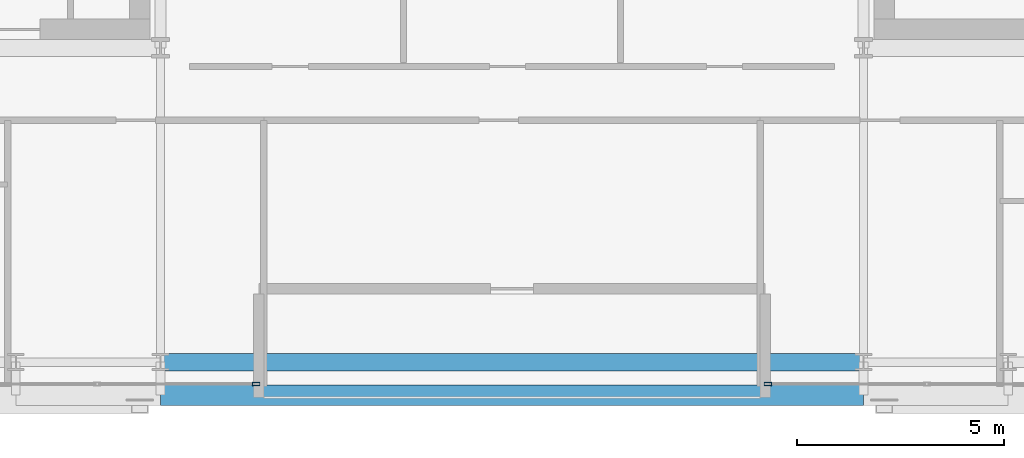
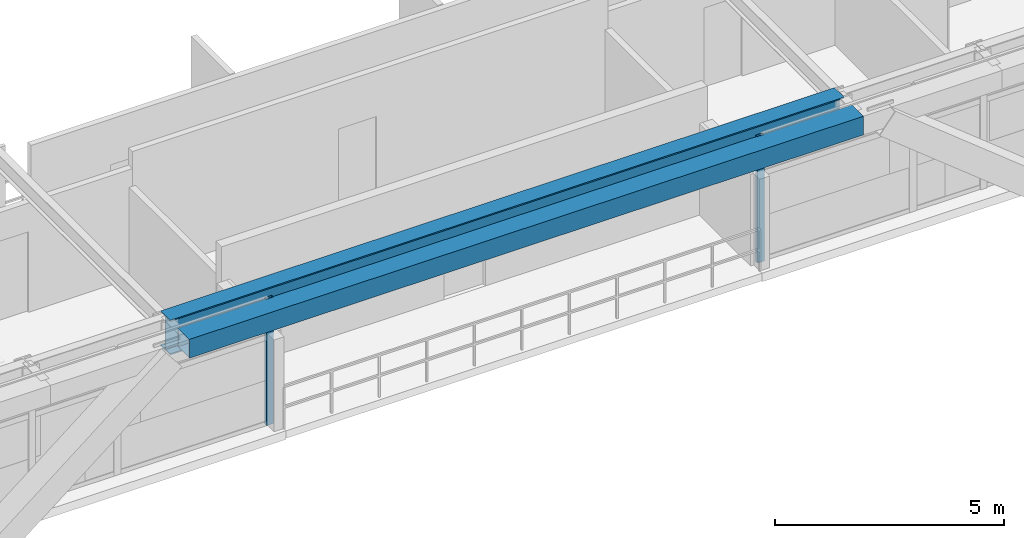
# One storey, part 7 of 37: 2 beams, 2 members, 2 elements without a shape of their own.
"""IFC4 building model written with IfcOpenShell, lengths in metres."""

from ifc_helpers import new_model, si_unit, direction, frame, origin, origin_2d, place, context, subcontext, project, spatial, hollow_rectangle, i_section, extrude, source, transform, mapped, material, layer, layer_set, material_profile, profile_set, type_object, element, aggregate, save


model = new_model("IFC4")

# Units and contexts
model_context = context("Model", 3, precision=1e-05, world=origin(), true_north=direction((0.0, 1.0)))
body_context = subcontext(model_context, "Body", "Model", "MODEL_VIEW")
ifc_project = project(units=[si_unit("LENGTHUNIT", "METRE"), si_unit("AREAUNIT", "SQUARE_METRE"), si_unit("VOLUMEUNIT", "CUBIC_METRE"), si_unit("PLANEANGLEUNIT", "RADIAN"), si_unit("MASSUNIT", "GRAM", prefix="KILO")], contexts=[model_context])

# Site, building, storey
site_placement = place(None, origin())
site = spatial("IfcSite", under=ifc_project, at=site_placement, CompositionType="ELEMENT")
building_placement = place(site_placement, origin())
building = spatial("IfcBuilding", under=site, at=building_placement, Name="Ocotamira Hotel", CompositionType="ELEMENT")
storey_placement = place(building_placement, frame((0.0, 0.0, 192.0)))
storey = spatial("IfcBuildingStorey", under=building, at=storey_placement, Name="L48", CompositionType="ELEMENT", Elevation=192.0)

# Beams
ifc_material_1 = material(Name="Steel ASTM A992 Grade 50", Category="steel")
ifc_material_profile_1 = material_profile(ifc_material_1, i_section(OverallWidth=0.41796875, OverallDepth=0.927001953125, WebThickness=0.019287109375, FlangeThickness=0.031982421875, FilletRadius=0.02392578125, at=origin_2d()), Name="W36X231")
ifc_profile_set_1 = profile_set([ifc_material_profile_1], Name="Steel ASTM A992 Grade 50")
beam_type_1 = type_object("IfcBeamType", Name="BM-GIRD-W36X231", PredefinedType="BEAM", material=ifc_profile_set_1)
shared_shape_1 = source(origin(), body_context, "Body", "SweptSolid", [
    extrude(i_section(OverallWidth=0.41796875, OverallDepth=0.927001953125, WebThickness=0.019287109375, FlangeThickness=0.031982421875, FilletRadius=0.02392578125, at=origin_2d()), origin(), (0.0, 0.0, 1.0), 17.0),
])
beam_1_placement = place(storey_placement, frame((23.5, 6.949951171875, 2.906494140625), z_axis=(1.0, 0.0, 0.0), x_axis=(0.0, 1.0, 0.0)))
element("IfcBeam", 1, at=beam_1_placement, inside=storey, type_object=beam_type_1, Name="L48 Girder Y6.95 X23.5-40.5", PredefinedType="BEAM", context=body_context, shape_type="MappedRepresentation", body=[
    mapped(shared_shape_1, transform((0.0, 0.0, 0.0), scale=1.0)),
])
ifc_material_2 = material(Name="Steel ASTM A500 Grade C", Category="steel")
ifc_material_profile_2 = material_profile(ifc_material_2, hollow_rectangle(XDim=0.5, YDim=0.5, WallThickness=0.02001953125, at=origin_2d()), Name="HSS500X500X20")
ifc_profile_set_2 = profile_set([ifc_material_profile_2], Name="Steel ASTM A500 Grade C")
beam_type_2 = type_object("IfcBeamType", Name="BM-SPAN-HSS500", PredefinedType="USERDEFINED", material=ifc_profile_set_2)
shared_shape_2 = source(origin(), body_context, "Body", "SweptSolid", [
    extrude(hollow_rectangle(XDim=0.5, YDim=0.5, WallThickness=0.02001953125, at=origin_2d()), origin(), (0.0, 0.0, 1.0), 17.0),
])
beam_2_placement = place(storey_placement, frame((23.5, 6.14990234375, 3.1201171875), z_axis=(1.0, 0.0, 0.0), x_axis=(0.0, 1.0, 0.0)))
element("IfcBeam", 2, at=beam_2_placement, inside=storey, type_object=beam_type_2, Name="L48 Edge Spandrel S X23.5-40.5", ObjectType="SPANDREL", PredefinedType="USERDEFINED", context=body_context, shape_type="MappedRepresentation", body=[
    mapped(shared_shape_2, transform((0.0, 0.0, 0.0), scale=1.0)),
])

# Curtain wall, member
ifc_material_3 = material(Name="Anodised pale-metal aluminium and solar glass", Category="aluminium")
ifc_layer = layer(ifc_material_3, 0.199951171875)
ifc_layer_set = layer_set([ifc_layer], Name="Anodised pale-metal aluminium and solar glass")
curtain_wall_type = type_object("IfcCurtainWallType", Name="CW-SYS4-Z3", PredefinedType="NOTDEFINED", material=ifc_layer_set)
curtain_wall_1_placement = place(storey_placement, origin())
curtain_wall_1 = element("IfcCurtainWall", 3, at=curtain_wall_1_placement, inside=storey, type_object=curtain_wall_type, Name="L48 Curtain Wall CW-4 CW-L48-S1", PredefinedType="NOTDEFINED")
ifc_material_4 = material(Name="Anodised pale-metal aluminium 6063-T6", Category="aluminium")
ifc_material_profile_3 = material_profile(ifc_material_4, hollow_rectangle(XDim=0.080078125, YDim=0.179931640625, WallThickness=0.006103515625, at=origin_2d()), Name="HSS180X80X6")
ifc_profile_set_3 = profile_set([ifc_material_profile_3], Name="Anodised pale-metal aluminium 6063-T6")
member_type = type_object("IfcMemberType", Name="CWM-180X75", PredefinedType="MULLION", material=ifc_profile_set_3)
shared_shape_3 = source(origin(), body_context, "Body", "SweptSolid", [
    extrude(hollow_rectangle(XDim=0.080078125, YDim=0.179931640625, WallThickness=0.006103515625, at=origin_2d()), origin(), (0.0, 0.0, 1.0), 3.3701171875),
])
member_1_placement = place(storey_placement, frame((25.81005859375, 6.419921875, 0.0), z_axis=(0.0, 0.0, 1.0), x_axis=(0.0, 1.0, 0.0)))
member_1 = element("IfcMember", 4, at=member_1_placement, type_object=member_type, Name="CW-4 mullion 4", PredefinedType="MULLION", context=body_context, shape_type="MappedRepresentation", body=[
    mapped(shared_shape_3, transform((0.0, 0.0, 0.0), scale=1.0)),
])
aggregate(curtain_wall_1, [member_1])

curtain_wall_2_placement = place(storey_placement, origin())
curtain_wall_2 = element("IfcCurtainWall", 5, at=curtain_wall_2_placement, inside=storey, type_object=curtain_wall_type, Name="L48 Curtain Wall CW-4 CW-L48-S2", PredefinedType="NOTDEFINED")
member_2_placement = place(storey_placement, frame((38.18994140625, 6.419921875, 0.0), z_axis=(0.0, 0.0, 1.0), x_axis=(0.0, 1.0, 0.0)))
member_2 = element("IfcMember", 6, at=member_2_placement, type_object=member_type, Name="CW-4 mullion 1", PredefinedType="MULLION", context=body_context, shape_type="MappedRepresentation", body=[
    mapped(shared_shape_3, transform((0.0, 0.0, 0.0), scale=1.0)),
])
aggregate(curtain_wall_2, [member_2])

save(model, "model.ifc")
